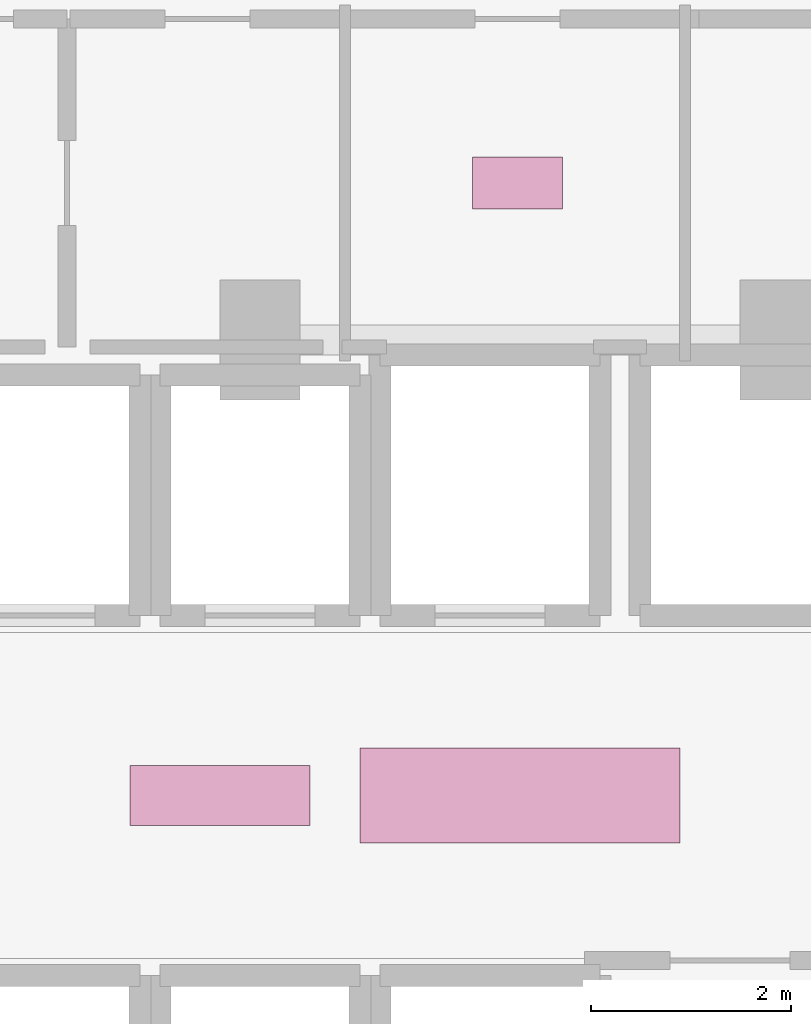
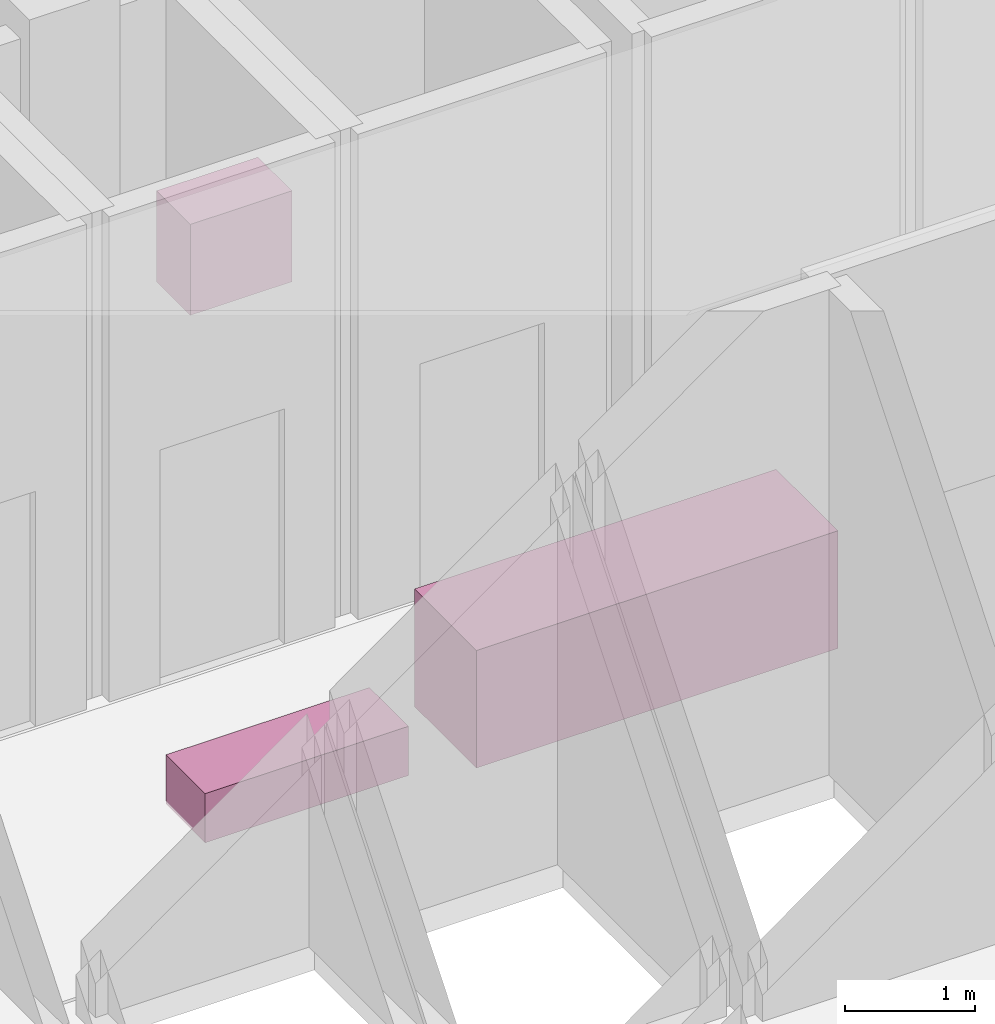
# One storey, part 32 of 32: 3 furnishings.
"""IFC4 building model written with IfcOpenShell, lengths in metres."""

from ifc_helpers import new_model, si_unit, direction, frame, origin, origin_2d, place, context, subcontext, project, spatial, rectangle, extrude, material, type_object, element, save


model = new_model("IFC4")

# Units and contexts
model_context = context("Model", 3, precision=1e-05, world=origin(), true_north=direction((0.0, 1.0)))
body_context = subcontext(model_context, "Body", "Model", "MODEL_VIEW")
ifc_project = project(units=[si_unit("LENGTHUNIT", "METRE"), si_unit("AREAUNIT", "SQUARE_METRE"), si_unit("VOLUMEUNIT", "CUBIC_METRE"), si_unit("PLANEANGLEUNIT", "RADIAN"), si_unit("MASSUNIT", "GRAM", prefix="KILO")], contexts=[model_context])

# Site, building, storey
site_placement = place(None, origin())
site = spatial("IfcSite", under=ifc_project, at=site_placement, CompositionType="ELEMENT")
building_placement = place(site_placement, origin())
building = spatial("IfcBuilding", under=site, at=building_placement, Name="Vorneva Point Tower", CompositionType="ELEMENT")
storey_placement = place(building_placement, frame((0.0, 0.0, 19.199951171875)))
storey = spatial("IfcBuildingStorey", under=building, at=storey_placement, Name="L04", CompositionType="ELEMENT", Elevation=19.199951171875)

# Furnishings
ifc_material_1 = material(Name="Engineered oak fire-rated door leaf", Category="wood")
furniture_type_1 = type_object("IfcFurnitureType", Name="FUR-BNC-1800", AssemblyPlace="NOTDEFINED", PredefinedType="NOTDEFINED", material=ifc_material_1)
furnishing_1_placement = place(storey_placement, frame((35.0, 26.0, -0.0048828125), z_axis=(0.0, 0.0, 1.0), x_axis=(1.0, 0.0, 0.0)))
element("IfcFurnishingElement", 1, at=furnishing_1_placement, inside=storey, type_object=furniture_type_1, Name="L04 Lift Lobby Seating Bench", ObjectType="L04 Lift Lobby Seating Bench", context=body_context, shape_type="SweptSolid", body=[
    extrude(rectangle(XDim=1.800048828125, YDim=0.60009765625, at=origin_2d()), origin(), (0.0, 0.0, 1.0), 0.4599609375),
])
furniture_type_2 = type_object("IfcFurnitureType", Name="FUR-DSK-3200", AssemblyPlace="NOTDEFINED", PredefinedType="NOTDEFINED", material=ifc_material_1)
furnishing_2_placement = place(storey_placement, frame((38.0, 26.0, -0.0048828125), z_axis=(0.0, 0.0, 1.0), x_axis=(1.0, 0.0, 0.0)))
element("IfcFurnishingElement", 2, at=furnishing_2_placement, inside=storey, type_object=furniture_type_2, Name="L04 Reception and Concierge Desk", ObjectType="L04 Reception and Concierge Desk", context=body_context, shape_type="SweptSolid", body=[
    extrude(rectangle(XDim=3.199951171875, YDim=0.949951171875, at=origin_2d()), origin(), (0.0, 0.0, 1.0), 1.10009765625),
])
ifc_material_2 = material(Name="Vitreous china and granite top", Category="masonry")
furniture_type_3 = type_object("IfcFurnitureType", Name="FUR-VAN-900", AssemblyPlace="NOTDEFINED", PredefinedType="NOTDEFINED", material=ifc_material_2)
furnishing_3_placement = place(storey_placement, frame((37.97509765625, 32.1201171875, -0.0048828125), z_axis=(0.0, 0.0, 1.0), x_axis=(1.0, 0.0, 0.0)))
element("IfcFurnishingElement", 3, at=furnishing_3_placement, inside=storey, type_object=furniture_type_3, Name="L04 Accessible WC Vanity Unit", ObjectType="L04 Accessible WC Vanity Unit", context=body_context, shape_type="SweptSolid", body=[
    extrude(rectangle(XDim=0.89990234375, YDim=0.52001953125, at=origin_2d()), origin(), (0.0, 0.0, 1.0), 0.85009765625),
])

save(model, "model.ifc")
